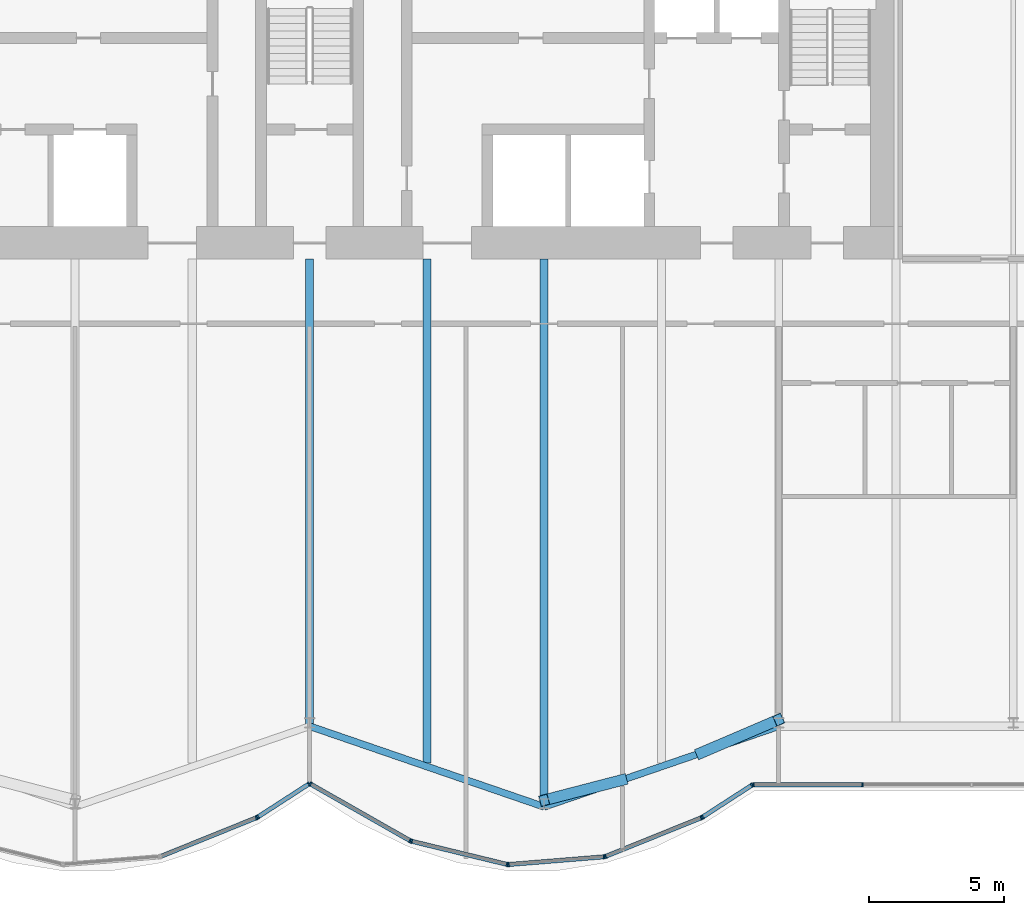
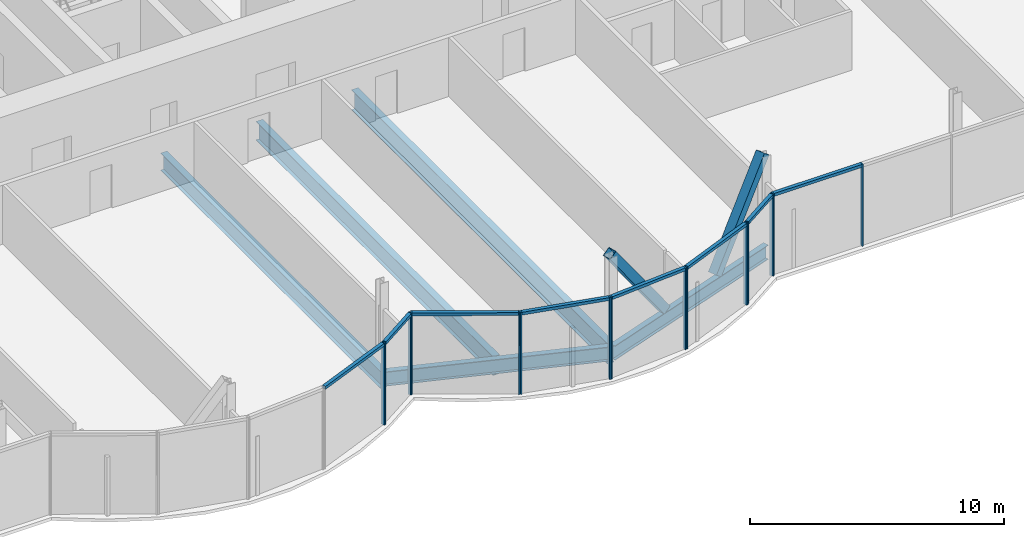
# One storey, part 8 of 20: 25 members, 5 beams, 3 elements without a shape of their own.
"""IFC4 building model written with IfcOpenShell, lengths in metres."""

from ifc_helpers import new_model, si_unit, direction, frame, origin, origin_2d, place, context, subcontext, project, spatial, rectangle, hollow_rectangle, i_section, extrude, material, material_profile, profile_set, type_object, element, aggregate, save


model = new_model("IFC4")

# Units and contexts
model_context = context("Model", 3, precision=1e-05, world=origin(), true_north=direction((0.0, 1.0)))
body_context = subcontext(model_context, "Body", "Model", "MODEL_VIEW")
ifc_project = project(units=[si_unit("LENGTHUNIT", "METRE"), si_unit("AREAUNIT", "SQUARE_METRE"), si_unit("VOLUMEUNIT", "CUBIC_METRE"), si_unit("PLANEANGLEUNIT", "RADIAN"), si_unit("MASSUNIT", "GRAM", prefix="KILO")], contexts=[model_context])

# Site, building, storey
site_placement = place(None, origin())
site = spatial("IfcSite", under=ifc_project, at=site_placement, CompositionType="ELEMENT")
building_placement = place(site_placement, origin())
building = spatial("IfcBuilding", under=site, at=building_placement, Name="Bicima Exchange Tower", CompositionType="ELEMENT")
storey_placement = place(building_placement, frame((0.0, 0.0, 199.10009765625)))
storey = spatial("IfcBuildingStorey", under=building, at=storey_placement, Name="L44", CompositionType="ELEMENT", Elevation=199.10009765625)

# Beams
ifc_material_1 = material(Name="Steel ASTM A992 Gr 50", Category="steel")
ifc_material_profile_1 = material_profile(ifc_material_1, i_section(OverallWidth=0.2919921875, OverallDepth=0.835693359375, WebThickness=0.013916015625, FlangeThickness=0.018798828125, at=origin_2d()))
ifc_profile_set_1 = profile_set([ifc_material_profile_1], Name="Steel ASTM A992 Gr 50")
beam_type_1 = type_object("IfcBeamType", Name="Floor beam W33x118", PredefinedType="JOIST", material=ifc_profile_set_1)
beam_1_placement = place(storey_placement, frame((0.0, -13.0, -0.56787109375), z_axis=(0.0, -1.0, 0.0), x_axis=(1.0, 0.0, 0.0)))
element("IfcBeam", 1, at=beam_1_placement, inside=storey, type_object=beam_type_1, Name="Floor beam", PredefinedType="JOIST", context=body_context, shape_type="SweptSolid", body=[
    extrude(i_section(OverallWidth=0.2919921875, OverallDepth=0.835693359375, WebThickness=0.013916015625, FlangeThickness=0.018798828125, at=origin_2d()), origin(), (0.0, 0.0, 1.0), 17.327880859375),
])
ifc_material_profile_2 = material_profile(ifc_material_1, i_section(OverallWidth=0.3046875, OverallDepth=0.904296875, WebThickness=0.01513671875, FlangeThickness=0.02001953125, at=origin_2d()))
ifc_profile_set_2 = profile_set([ifc_material_profile_2], Name="Steel ASTM A992 Gr 50")
beam_type_2 = type_object("IfcBeamType", Name="Floor beam W36x135", PredefinedType="JOIST", material=ifc_profile_set_2)
beam_2_placement = place(storey_placement, frame((4.35009765625, -13.0, -0.602294921875), z_axis=(0.0, -1.0, 0.0), x_axis=(1.0, 0.0, 0.0)))
element("IfcBeam", 2, at=beam_2_placement, inside=storey, type_object=beam_type_2, Name="Floor beam", PredefinedType="JOIST", context=body_context, shape_type="SweptSolid", body=[
    extrude(i_section(OverallWidth=0.3046875, OverallDepth=0.904296875, WebThickness=0.01513671875, FlangeThickness=0.02001953125, at=origin_2d()), origin(), (0.0, 0.0, 1.0), 18.68798828125),
])
ifc_material_profile_3 = material_profile(ifc_material_1, i_section(OverallWidth=0.2998046875, OverallDepth=0.97021484375, WebThickness=0.01611328125, FlangeThickness=0.02099609375, at=origin_2d()))
ifc_profile_set_3 = profile_set([ifc_material_profile_3], Name="Steel ASTM A992 Gr 50")
beam_type_3 = type_object("IfcBeamType", Name="Floor beam W40x149", PredefinedType="JOIST", material=ifc_profile_set_3)
beam_3_placement = place(storey_placement, frame((8.699951171875, -13.0, -0.63525390625), z_axis=(0.0, -1.0, 0.0), x_axis=(1.0, 0.0, 0.0)))
element("IfcBeam", 3, at=beam_3_placement, inside=storey, type_object=beam_type_3, Name="Floor beam", PredefinedType="JOIST", context=body_context, shape_type="SweptSolid", body=[
    extrude(i_section(OverallWidth=0.2998046875, OverallDepth=0.97021484375, WebThickness=0.01611328125, FlangeThickness=0.02099609375, at=origin_2d()), origin(), (0.0, 0.0, 1.0), 20.183349609375),
])
ifc_material_profile_4 = material_profile(ifc_material_1, i_section(OverallWidth=0.256591796875, OverallDepth=0.693359375, WebThickness=0.014404296875, FlangeThickness=0.023681640625, at=origin_2d()))
ifc_profile_set_4 = profile_set([ifc_material_profile_4], Name="Steel ASTM A992 Gr 50")
beam_type_4 = type_object("IfcBeamType", Name="Front girder W27x114", PredefinedType="BEAM", material=ifc_profile_set_4)
for number, where, z_axis, x_axis, name in (
    (4, (0.0, -30.327880859375, -0.496826171875), (0.945666456746, -0.325138359143, 0.0), (0.325138359143, 0.945666456746, 0.0), "Front girder"),
    (5, (8.699951171875, -33.319091796875, -0.496826171875), (0.945666456746, 0.325138359143, 0.0), (-0.325138359143, 0.945666456746, 0.0), "Front girder"),
):
    element("IfcBeam", number, at=place(storey_placement, frame(where, z_axis=z_axis, x_axis=x_axis)), inside=storey, type_object=beam_type_4, Name=name, PredefinedType="BEAM", context=body_context, shape_type="SweptSolid", body=[
        extrude(i_section(OverallWidth=0.256591796875, OverallDepth=0.693359375, WebThickness=0.014404296875, FlangeThickness=0.023681640625, at=origin_2d()), origin(), (0.0, 0.0, 1.0), 9.19970703125),
    ])

# Curtain wall, members
ifc_material_2 = material(Name="Anodised bronze aluminium", Category="aluminium")
curtain_wall_type = type_object("IfcCurtainWallType", Name="Front glass wall", PredefinedType="NOTDEFINED", material=ifc_material_2)
curtain_wall_1_placement = place(storey_placement, origin())
curtain_wall_1 = element("IfcCurtainWall", 6, at=curtain_wall_1_placement, inside=storey, type_object=curtain_wall_type, Name="Front glass wall L44 run 6", PredefinedType="NOTDEFINED")
ifc_material_profile_5 = material_profile(ifc_material_2, rectangle(XDim=0.159912109375, YDim=0.06005859375, at=origin_2d()))
ifc_profile_set_5 = profile_set([ifc_material_profile_5], Name="Anodised bronze aluminium")
member_type_1 = type_object("IfcMemberType", Name="Front glass wall mullion 60 x 160", PredefinedType="MULLION", material=ifc_profile_set_5)
member_1_placement = place(storey_placement, frame((-1.97412109375, -33.7236328125, 0.0), z_axis=(0.0, 0.0, 1.0), x_axis=(-0.374705304, 0.92714396679, 0.0)))
member_1 = element("IfcMember", 7, at=member_1_placement, type_object=member_type_1, Name="Front glass wall mullion 2", PredefinedType="MULLION", context=body_context, shape_type="SweptSolid", body=[
    extrude(rectangle(XDim=0.159912109375, YDim=0.06005859375, at=origin_2d()), origin(), (0.0, 0.0, 1.0), 3.949951171875),
])
member_2_placement = place(storey_placement, frame((-1.921142578125, -33.696044921875, 0.0), z_axis=(0.0, 0.0, 1.0), x_axis=(-0.542897457326, 0.839798994301, 0.0)))
member_2 = element("IfcMember", 8, at=member_2_placement, type_object=member_type_1, Name="Front glass wall mullion 1", PredefinedType="MULLION", context=body_context, shape_type="SweptSolid", body=[
    extrude(rectangle(XDim=0.159912109375, YDim=0.06005859375, at=origin_2d()), origin(), (0.0, 0.0, 1.0), 3.949951171875),
])
member_3_placement = place(storey_placement, frame((-0.025146484375, -32.470458984375, 0.0), z_axis=(0.0, 0.0, 1.0), x_axis=(-0.542897457326, 0.839798994301, 0.0)))
member_3 = element("IfcMember", 9, at=member_3_placement, type_object=member_type_1, Name="Front glass wall mullion 2", PredefinedType="MULLION", context=body_context, shape_type="SweptSolid", body=[
    extrude(rectangle(XDim=0.159912109375, YDim=0.06005859375, at=origin_2d()), origin(), (0.0, 0.0, 1.0), 3.949951171875),
])

curtain_wall_2_placement = place(storey_placement, origin())
curtain_wall_2 = element("IfcCurtainWall", 10, at=curtain_wall_2_placement, inside=storey, type_object=curtain_wall_type, Name="Front glass wall L44 run 11", PredefinedType="NOTDEFINED")
member_4_placement = place(storey_placement, frame((0.026123046875, -32.468994140625, 0.0), z_axis=(0.0, 0.0, 1.0), x_axis=(0.494330311331, 0.869274147378, 0.0)))
member_4 = element("IfcMember", 11, at=member_4_placement, type_object=member_type_1, Name="Front glass wall mullion 1", PredefinedType="MULLION", context=body_context, shape_type="SweptSolid", body=[
    extrude(rectangle(XDim=0.159912109375, YDim=0.06005859375, at=origin_2d()), origin(), (0.0, 0.0, 1.0), 3.949951171875),
])
member_5_placement = place(storey_placement, frame((3.7265625, -34.573486328125, 0.0), z_axis=(0.0, 0.0, 1.0), x_axis=(0.494330311331, 0.869274147378, 0.0)))
member_5 = element("IfcMember", 12, at=member_5_placement, type_object=member_type_1, Name="Front glass wall mullion 2", PredefinedType="MULLION", context=body_context, shape_type="SweptSolid", body=[
    extrude(rectangle(XDim=0.159912109375, YDim=0.06005859375, at=origin_2d()), origin(), (0.0, 0.0, 1.0), 3.949951171875),
])
member_6_placement = place(storey_placement, frame((3.781982421875, -34.59521484375, 0.0), z_axis=(0.0, 0.0, 1.0), x_axis=(0.235681529503, 0.971830343553, 0.0)))
member_6 = element("IfcMember", 13, at=member_6_placement, type_object=member_type_1, Name="Front glass wall mullion 1", PredefinedType="MULLION", context=body_context, shape_type="SweptSolid", body=[
    extrude(rectangle(XDim=0.159912109375, YDim=0.06005859375, at=origin_2d()), origin(), (0.0, 0.0, 1.0), 3.949951171875),
])
member_7_placement = place(storey_placement, frame((7.322509765625, -35.453857421875, 0.0), z_axis=(0.0, 0.0, 1.0), x_axis=(0.235681529503, 0.971830343553, 0.0)))
member_7 = element("IfcMember", 14, at=member_7_placement, type_object=member_type_1, Name="Front glass wall mullion 2", PredefinedType="MULLION", context=body_context, shape_type="SweptSolid", body=[
    extrude(rectangle(XDim=0.159912109375, YDim=0.06005859375, at=origin_2d()), origin(), (0.0, 0.0, 1.0), 3.949951171875),
])
member_8_placement = place(storey_placement, frame((7.381591796875, -35.45849609375, 0.0), z_axis=(0.0, 0.0, 1.0), x_axis=(-0.080588612633, 0.99674744821, 0.0)))
member_8 = element("IfcMember", 15, at=member_8_placement, type_object=member_type_1, Name="Front glass wall mullion 1", PredefinedType="MULLION", context=body_context, shape_type="SweptSolid", body=[
    extrude(rectangle(XDim=0.159912109375, YDim=0.06005859375, at=origin_2d()), origin(), (0.0, 0.0, 1.0), 3.949951171875),
])
member_9_placement = place(storey_placement, frame((10.916015625, -35.1728515625, 0.0), z_axis=(0.0, 0.0, 1.0), x_axis=(-0.080588612633, 0.99674744821, 0.0)))
member_9 = element("IfcMember", 16, at=member_9_placement, type_object=member_type_1, Name="Front glass wall mullion 2", PredefinedType="MULLION", context=body_context, shape_type="SweptSolid", body=[
    extrude(rectangle(XDim=0.159912109375, YDim=0.06005859375, at=origin_2d()), origin(), (0.0, 0.0, 1.0), 3.949951171875),
])
member_10_placement = place(storey_placement, frame((10.973876953125, -35.1591796875, 0.0), z_axis=(0.0, 0.0, 1.0), x_axis=(-0.374705304, 0.92714396679, 0.0)))
member_10 = element("IfcMember", 17, at=member_10_placement, type_object=member_type_1, Name="Front glass wall mullion 1", PredefinedType="MULLION", context=body_context, shape_type="SweptSolid", body=[
    extrude(rectangle(XDim=0.159912109375, YDim=0.06005859375, at=origin_2d()), origin(), (0.0, 0.0, 1.0), 3.949951171875),
])
member_11_placement = place(storey_placement, frame((14.52587890625, -33.7236328125, 0.0), z_axis=(0.0, 0.0, 1.0), x_axis=(-0.374705304, 0.92714396679, 0.0)))
member_11 = element("IfcMember", 18, at=member_11_placement, type_object=member_type_1, Name="Front glass wall mullion 2", PredefinedType="MULLION", context=body_context, shape_type="SweptSolid", body=[
    extrude(rectangle(XDim=0.159912109375, YDim=0.06005859375, at=origin_2d()), origin(), (0.0, 0.0, 1.0), 3.949951171875),
])
member_12_placement = place(storey_placement, frame((14.578857421875, -33.696044921875, 0.0), z_axis=(0.0, 0.0, 1.0), x_axis=(-0.542909183079, 0.839791413941, 0.0)))
member_12 = element("IfcMember", 19, at=member_12_placement, type_object=member_type_1, Name="Front glass wall mullion 1", PredefinedType="MULLION", context=body_context, shape_type="SweptSolid", body=[
    extrude(rectangle(XDim=0.159912109375, YDim=0.06005859375, at=origin_2d()), origin(), (0.0, 0.0, 1.0), 3.949951171875),
])
member_13_placement = place(storey_placement, frame((16.406982421875, -32.514404296875, 0.0), z_axis=(0.0, 0.0, 1.0), x_axis=(-0.542909183079, 0.839791413941, 0.0)))
member_13 = element("IfcMember", 20, at=member_13_placement, type_object=member_type_1, Name="Front glass wall mullion 2", PredefinedType="MULLION", context=body_context, shape_type="SweptSolid", body=[
    extrude(rectangle(XDim=0.159912109375, YDim=0.06005859375, at=origin_2d()), origin(), (0.0, 0.0, 1.0), 3.949951171875),
])

curtain_wall_3_placement = place(storey_placement, origin())
curtain_wall_3 = element("IfcCurtainWall", 21, at=curtain_wall_3_placement, inside=storey, type_object=curtain_wall_type, Name="Front glass wall L44 run 16", PredefinedType="NOTDEFINED")
member_14_placement = place(storey_placement, frame((16.462158203125, -32.498046875, 0.0), z_axis=(0.0, 0.0, 1.0), x_axis=(0.0, 1.0, 0.0)))
member_14 = element("IfcMember", 22, at=member_14_placement, type_object=member_type_1, Name="Front glass wall mullion 1", PredefinedType="MULLION", context=body_context, shape_type="SweptSolid", body=[
    extrude(rectangle(XDim=0.159912109375, YDim=0.06005859375, at=origin_2d()), origin(), (0.0, 0.0, 1.0), 3.949951171875),
])
member_15_placement = place(storey_placement, frame((20.51171875, -32.498046875, 0.0), z_axis=(0.0, 0.0, 1.0), x_axis=(0.0, 1.0, 0.0)))
member_15 = element("IfcMember", 23, at=member_15_placement, type_object=member_type_1, Name="Front glass wall mullion 2", PredefinedType="MULLION", context=body_context, shape_type="SweptSolid", body=[
    extrude(rectangle(XDim=0.159912109375, YDim=0.06005859375, at=origin_2d()), origin(), (0.0, 0.0, 1.0), 3.949951171875),
])

# Member
ifc_material_profile_6 = material_profile(ifc_material_2, rectangle(XDim=0.159912109375, YDim=0.139892578125, at=origin_2d()))
ifc_profile_set_6 = profile_set([ifc_material_profile_6], Name="Anodised bronze aluminium")
member_type_2 = type_object("IfcMemberType", Name="Front glass wall transom 140 x 160", PredefinedType="USERDEFINED", material=ifc_profile_set_6)
member_16_placement = place(storey_placement, frame((-5.498291015625, -35.14794921875, 3.8798828125), z_axis=(0.927140215882, 0.374714584842, 0.0), x_axis=(-0.374714584842, 0.927140215882, 0.0)))
member_16 = element("IfcMember", 24, at=member_16_placement, type_object=member_type_2, Name="Front glass wall transom 1.1", ObjectType="TRANSOM", PredefinedType="USERDEFINED", context=body_context, shape_type="SweptSolid", body=[
    extrude(rectangle(XDim=0.159912109375, YDim=0.139892578125, at=origin_2d()), origin(), (0.0, 0.0, 1.0), 3.77099609375),
])

member_17_placement = place(storey_placement, frame((-1.89599609375, -33.6796875, 3.8798828125), z_axis=(0.839862128766, 0.542799783221, 0.0), x_axis=(-0.542799783221, 0.839862128766, 0.0)))
member_17 = element("IfcMember", 25, at=member_17_placement, type_object=member_type_2, Name="Front glass wall transom 1.1", ObjectType="TRANSOM", PredefinedType="USERDEFINED", context=body_context, shape_type="SweptSolid", body=[
    extrude(rectangle(XDim=0.159912109375, YDim=0.139892578125, at=origin_2d()), origin(), (0.0, 0.0, 1.0), 2.197509765625),
])

aggregate(curtain_wall_1, [member_1, member_16, member_2, member_3, member_17])

member_18_placement = place(storey_placement, frame((0.05224609375, -32.48388671875, 3.8798828125), z_axis=(0.869265121745, -0.494346182466, 0.0), x_axis=(0.494346182466, 0.869265121745, 0.0)))
member_18 = element("IfcMember", 26, at=member_18_placement, type_object=member_type_2, Name="Front glass wall transom 1.1", ObjectType="TRANSOM", PredefinedType="USERDEFINED", context=body_context, shape_type="SweptSolid", body=[
    extrude(rectangle(XDim=0.159912109375, YDim=0.139892578125, at=origin_2d()), origin(), (0.0, 0.0, 1.0), 4.19677734375),
])

member_19_placement = place(storey_placement, frame((3.81103515625, -34.602294921875, 3.8798828125), z_axis=(0.971817951661, -0.235732621477, 0.0), x_axis=(0.235732621477, 0.971817951661, 0.0)))
member_19 = element("IfcMember", 27, at=member_19_placement, type_object=member_type_2, Name="Front glass wall transom 1.1", ObjectType="TRANSOM", PredefinedType="USERDEFINED", context=body_context, shape_type="SweptSolid", body=[
    extrude(rectangle(XDim=0.159912109375, YDim=0.139892578125, at=origin_2d()), origin(), (0.0, 0.0, 1.0), 3.58349609375),
])

member_20_placement = place(storey_placement, frame((7.41162109375, -35.456298828125, 3.8798828125), z_axis=(0.9967456465, 0.080610893699, 0.0), x_axis=(-0.080610893699, 0.9967456465, 0.0)))
member_20 = element("IfcMember", 28, at=member_20_placement, type_object=member_type_2, Name="Front glass wall transom 1.1", ObjectType="TRANSOM", PredefinedType="USERDEFINED", context=body_context, shape_type="SweptSolid", body=[
    extrude(rectangle(XDim=0.159912109375, YDim=0.139892578125, at=origin_2d()), origin(), (0.0, 0.0, 1.0), 3.48583984375),
])

member_21_placement = place(storey_placement, frame((11.001708984375, -35.14794921875, 3.8798828125), z_axis=(0.927140215882, 0.374714584842, 0.0), x_axis=(-0.374714584842, 0.927140215882, 0.0)))
member_21 = element("IfcMember", 29, at=member_21_placement, type_object=member_type_2, Name="Front glass wall transom 1.1", ObjectType="TRANSOM", PredefinedType="USERDEFINED", context=body_context, shape_type="SweptSolid", body=[
    extrude(rectangle(XDim=0.159912109375, YDim=0.139892578125, at=origin_2d()), origin(), (0.0, 0.0, 1.0), 3.77099609375),
])

member_22_placement = place(storey_placement, frame((14.60400390625, -33.6796875, 3.8798828125), z_axis=(0.839792890287, 0.542906899407, 0.0), x_axis=(-0.542906899407, 0.839792890287, 0.0)))
member_22 = element("IfcMember", 30, at=member_22_placement, type_object=member_type_2, Name="Front glass wall transom 1.1", ObjectType="TRANSOM", PredefinedType="USERDEFINED", context=body_context, shape_type="SweptSolid", body=[
    extrude(rectangle(XDim=0.159912109375, YDim=0.139892578125, at=origin_2d()), origin(), (0.0, 0.0, 1.0), 2.11669921875),
])

aggregate(curtain_wall_2, [member_4, member_5, member_18, member_6, member_7, member_19, member_8, member_9, member_20, member_10, member_11, member_21, member_12, member_13, member_22])

member_23_placement = place(storey_placement, frame((16.4921875, -32.498046875, 3.8798828125), z_axis=(1.0, 0.0, 0.0), x_axis=(0.0, 1.0, 0.0)))
member_23 = element("IfcMember", 31, at=member_23_placement, type_object=member_type_2, Name="Front glass wall transom 1.1", ObjectType="TRANSOM", PredefinedType="USERDEFINED", context=body_context, shape_type="SweptSolid", body=[
    extrude(rectangle(XDim=0.159912109375, YDim=0.139892578125, at=origin_2d()), origin(), (0.0, 0.0, 1.0), 3.989501953125),
])

aggregate(curtain_wall_3, [member_14, member_15, member_23])

# Members
ifc_material_3 = material(Name="Steel ASTM A572 Gr 50", Category="steel")
ifc_material_profile_7 = material_profile(ifc_material_3, hollow_rectangle(XDim=0.406494140625, YDim=0.406494140625, WallThickness=0.0146484375, at=origin_2d()))
ifc_profile_set_7 = profile_set([ifc_material_profile_7], Name="Steel ASTM A572 Gr 50")
member_type_3 = type_object("IfcMemberType", Name="Mega brace HSS16x16x5/8", PredefinedType="BRACE", material=ifc_profile_set_7)
member_24_placement = place(storey_placement, frame((14.5, -31.324951171875, 0.0), z_axis=(0.560602039363, 0.239900670659, 0.79257366956), x_axis=(-0.393424148395, 0.919357079409, 0.0)))
element("IfcMember", 32, at=member_24_placement, inside=storey, type_object=member_type_3, Name="Mega brace front", PredefinedType="BRACE", context=body_context, shape_type="SweptSolid", body=[
    extrude(hollow_rectangle(XDim=0.406494140625, YDim=0.406494140625, WallThickness=0.0146484375, at=origin_2d()), origin(), (0.0, 0.0, 1.0), 5.1728515625),
])
member_25_placement = place(storey_placement, frame((11.60009765625, -32.322021484375, 0.0), z_axis=(-0.571110577568, -0.148318556427, 0.807362566639), x_axis=(0.251363668904, -0.967892714073, 0.0)))
element("IfcMember", 33, at=member_25_placement, inside=storey, type_object=member_type_3, Name="Mega brace front", PredefinedType="BRACE", context=body_context, shape_type="SweptSolid", body=[
    extrude(hollow_rectangle(XDim=0.406494140625, YDim=0.406494140625, WallThickness=0.0146484375, at=origin_2d()), origin(), (0.0, 0.0, 1.0), 5.078125),
])

save(model, "model.ifc")
